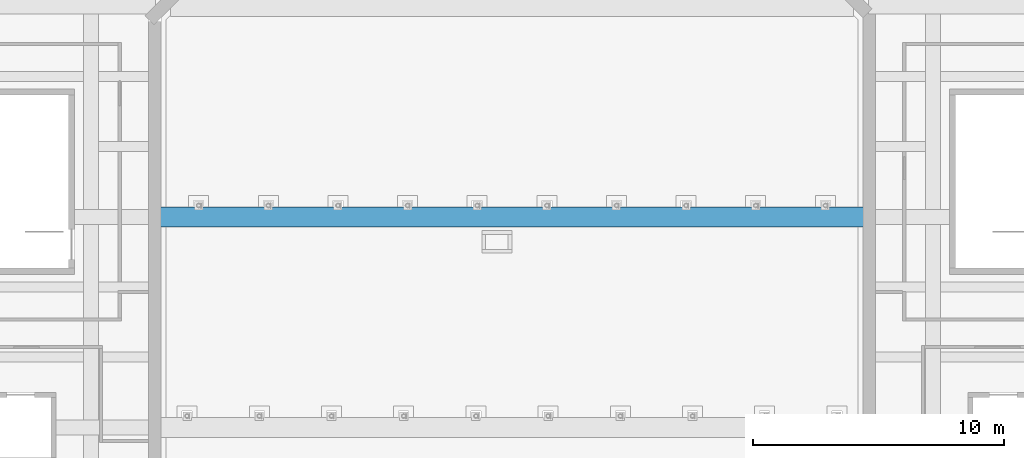
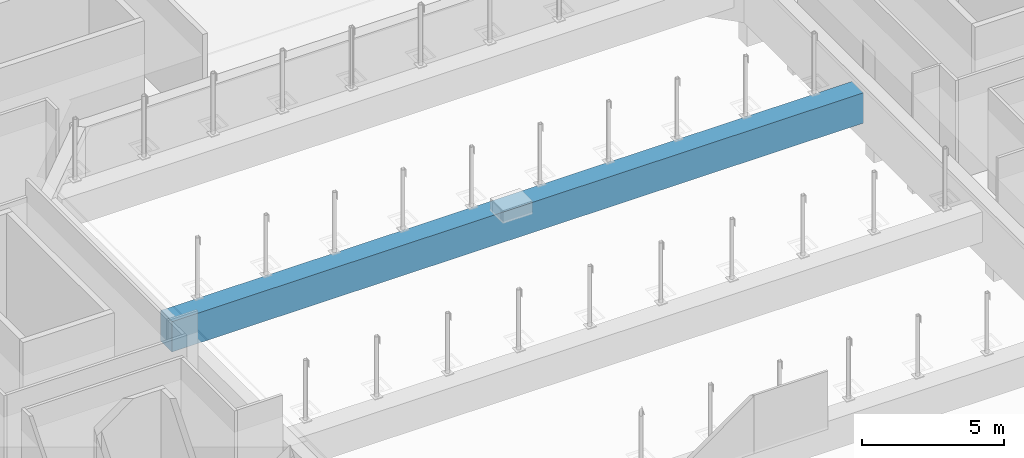
# One storey, part 13 of 47: 1 beam.
"""IFC4 building model written with IfcOpenShell, lengths in metres."""

from ifc_helpers import new_model, si_unit, direction, frame, origin, origin_2d, place, context, subcontext, project, spatial, rectangle, extrude, material, material_profile, profile_set, type_object, element, save


model = new_model("IFC4")

# Units and contexts
model_context = context("Model", 3, precision=1e-05, world=origin(), true_north=direction((0.0, 1.0)))
body_context = subcontext(model_context, "Body", "Model", "MODEL_VIEW")
ifc_project = project(units=[si_unit("LENGTHUNIT", "METRE"), si_unit("AREAUNIT", "SQUARE_METRE"), si_unit("VOLUMEUNIT", "CUBIC_METRE"), si_unit("PLANEANGLEUNIT", "RADIAN"), si_unit("MASSUNIT", "GRAM", prefix="KILO")], contexts=[model_context])

# Site, building, storey
site_placement = place(None, origin())
site = spatial("IfcSite", under=ifc_project, at=site_placement, CompositionType="ELEMENT")
building_placement = place(site_placement, origin())
building = spatial("IfcBuilding", under=site, at=building_placement, Name="Larchfold Concert Hall", CompositionType="ELEMENT")
storey_placement = place(building_placement, frame((0.0, 0.0, 24.0)))
storey = spatial("IfcBuildingStorey", under=building, at=storey_placement, Name="L05", CompositionType="ELEMENT", Elevation=24.0)

# Beam
ifc_material = material(Name="Concrete C40/50", Category="concrete")
ifc_material_profile = material_profile(ifc_material, rectangle(XDim=0.800048828125, YDim=1.300048828125, at=origin_2d()))
ifc_profile_set = profile_set([ifc_material_profile], Name="Concrete C40/50")
beam_type = type_object("IfcBeamType", Name="Beam RC 800x1300", PredefinedType="BEAM", material=ifc_profile_set)
beam_placement = place(storey_placement, frame((28.580078125, 93.0, 1.39990234375), z_axis=(1.0, 0.0, 0.0), x_axis=(0.0, 1.0, 0.0)))
element("IfcBeam", 1, at=beam_placement, inside=storey, type_object=beam_type, Name="Beam B1854", PredefinedType="BEAM", context=body_context, shape_type="SweptSolid", body=[
    extrude(rectangle(XDim=0.800048828125, YDim=1.300048828125, at=origin_2d()), origin(), (0.0, 0.0, 1.0), 28.0400390625),
])

save(model, "model.ifc")
